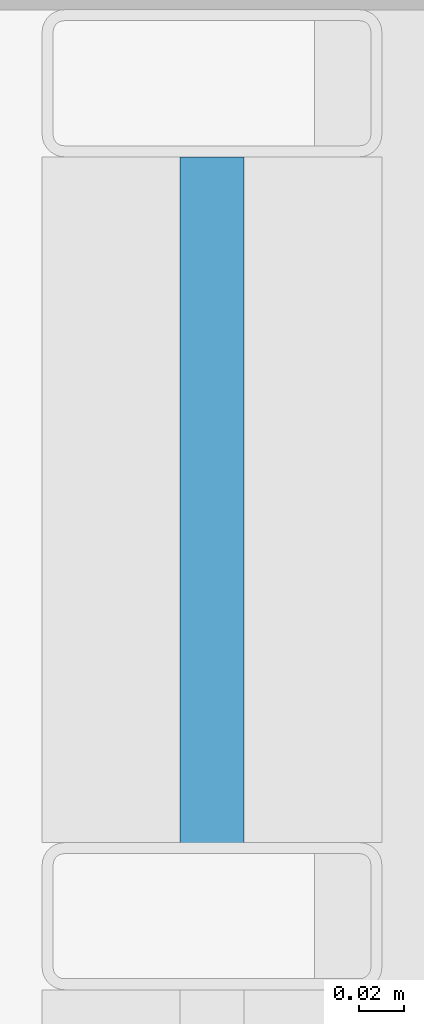
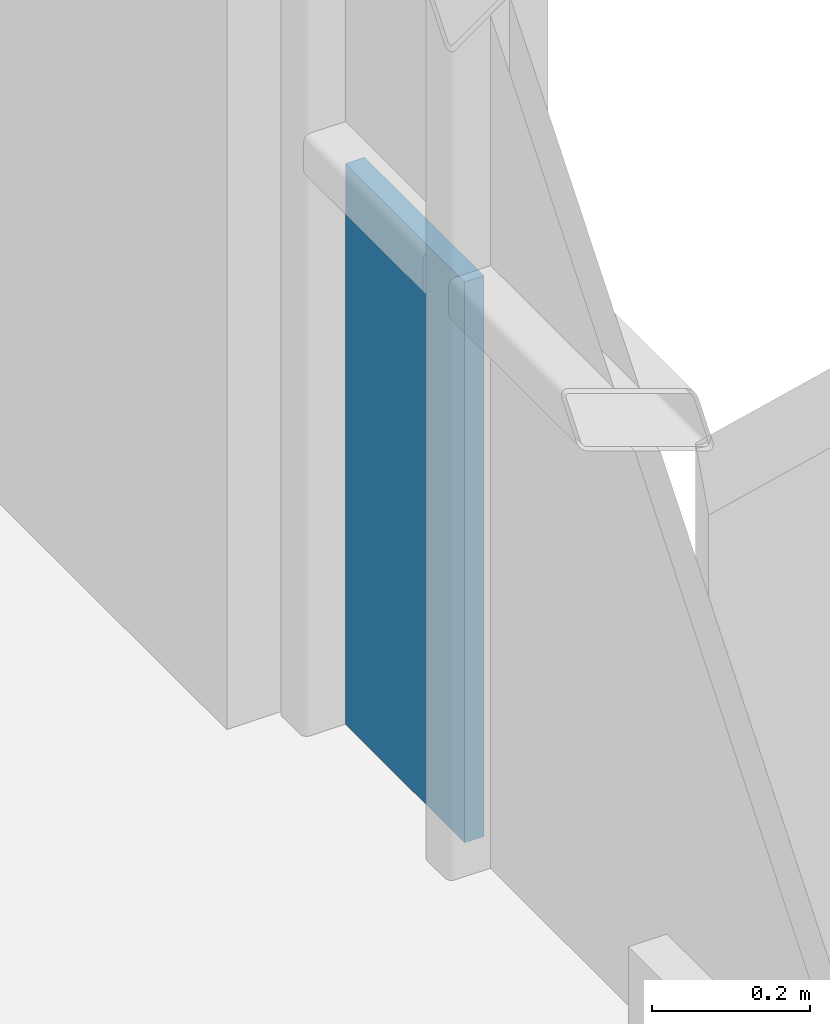
# One storey, part 26 of 38: 1 plate, 1 element without a shape of its own.
"""IFC4 building model written with IfcOpenShell, lengths in metres."""

import ifcopenshell
import ifcopenshell.guid

model = None  # the IFC model being written
_history = None  # IfcOwnerHistory: only IFC2X3 demands one
_inside = {}  # id of a spatial element -> (the spatial element, [elements in it])
_under = {}  # id of a project, library or spatial element -> (it, [spatial elements below it])
_declared = {}  # id of a project -> (the project, [libraries it declares])
_typed = {}  # id of a type object -> (the type object, [elements of that type])
_made_of = {}  # id of a material, layer set ... -> (it, [elements and type objects made of it])


def new_model(schema):
    """Start an empty IFC model of exactly this schema.

    Asked for "IFC4X3", IfcOpenShell would pick the latest addendum, in which some entities
    have other attributes; the version numbers below select the first issue.
    IFC2X3 requires an IfcOwnerHistory on every rooted entity: one is made here for all.
    """
    global model, _history
    if schema == "IFC4X3":
        model = ifcopenshell.file(schema_version=(4, 3, 0, 0))
    else:
        model = ifcopenshell.file(schema=schema)
    _inside.clear()
    _under.clear()
    _declared.clear()
    _typed.clear()
    _made_of.clear()
    _history = None
    if model.schema == "IFC2X3":
        org = make("IfcOrganization", Name="unknown")
        user = make(
            "IfcPersonAndOrganization",
            ThePerson=make("IfcPerson", FamilyName="unknown"),
            TheOrganization=org,
        )
        app = make(
            "IfcApplication",
            ApplicationDeveloper=org,
            Version="unknown",
            ApplicationFullName="unknown",
            ApplicationIdentifier="unknown",
        )
        _history = make(
            "IfcOwnerHistory",
            OwningUser=user,
            OwningApplication=app,
            ChangeAction="ADDED",
            CreationDate=0,
        )
    return model


def make(cls, **values):
    """One entity of the class cls with the attributes given. An attribute that is None is left unset."""
    return model.create_entity(
        cls, **{name: value for name, value in values.items() if value is not None}
    )


def rooted(cls, **values):
    """An entity with a GlobalId (a new one), such as an element, a storey or a relation."""
    return make(cls, GlobalId=ifcopenshell.guid.new(), OwnerHistory=_history, **values)


def si_unit(unit_type, name, prefix=None):
    """IfcSIUnit, for example si_unit("LENGTHUNIT", "METRE", prefix="MILLI")."""
    return make("IfcSIUnit", UnitType=unit_type, Prefix=prefix, Name=name)


def assignment(units):
    """IfcUnitAssignment: the units of a project."""
    return None if units is None else make("IfcUnitAssignment", Units=units)


def point(xyz):
    """IfcCartesianPoint."""
    return None if xyz is None else make("IfcCartesianPoint", Coordinates=xyz)


def direction(xyz):
    """IfcDirection."""
    return None if xyz is None else make("IfcDirection", DirectionRatios=xyz)


def frame(location, z_axis=None, x_axis=None):
    """IfcAxis2Placement3D, a coordinate frame: its origin and axes. An axis left out is left unset."""
    return make(
        "IfcAxis2Placement3D",
        Location=point(location),
        Axis=direction(z_axis),
        RefDirection=direction(x_axis),
    )


def frame_2d(location, x_axis=None):
    """IfcAxis2Placement2D, a coordinate frame in the plane: its origin and x axis."""
    return make(
        "IfcAxis2Placement2D", Location=point(location), RefDirection=direction(x_axis)
    )


def origin():
    """The frame at (0, 0, 0) with its axes left unset."""
    return frame((0.0, 0.0, 0.0))


def origin_2d():
    """The frame at (0, 0) in the plane with its x axis left unset."""
    return frame_2d((0.0, 0.0))


def place(relative_to, where):
    """IfcLocalPlacement: puts the frame where relative to a parent placement (None: the world)."""
    return make(
        "IfcLocalPlacement", PlacementRelTo=relative_to, RelativePlacement=where
    )


def context(
    kind, dimensions, precision=None, world=None, true_north=None, identifier=None
):
    """IfcGeometricRepresentationContext, for example the 3D "Model" context."""
    return make(
        "IfcGeometricRepresentationContext",
        ContextIdentifier=identifier,
        ContextType=kind,
        CoordinateSpaceDimension=dimensions,
        Precision=precision,
        WorldCoordinateSystem=world,
        TrueNorth=true_north,
    )


def subcontext(parent, identifier, kind, view, scale=None):
    """IfcGeometricRepresentationSubContext, for example "Body" below "Model"."""
    return make(
        "IfcGeometricRepresentationSubContext",
        ContextIdentifier=identifier,
        ContextType=kind,
        ParentContext=parent,
        TargetScale=scale,
        TargetView=view,
    )


def project(units=None, contexts=None):
    """IfcProject with its units and contexts."""
    return rooted(
        "IfcProject",
        Name="project",
        RepresentationContexts=contexts,
        UnitsInContext=assignment(units),
    )


def spatial(cls, under=None, at=None, **own):
    """A site, building, storey or space (cls), placed at a placement, below another one or the project."""
    s = rooted(cls, ObjectPlacement=at, **own)
    if under is not None:
        _under.setdefault(under.id(), (under, []))[1].append(s)
    return s


def profile(cls, at=None, kind="AREA", **sizes):
    """A parametric profile (cls). Its sizes go by their IFC names, for example OverallWidth=200.0."""
    return make(cls, ProfileType=kind, Position=at, **sizes)


def rectangle(**sizes):
    """IfcRectangleProfileDef."""
    return profile("IfcRectangleProfileDef", **sizes)


def extrude(swept, where, along, depth):
    """IfcExtrudedAreaSolid: the profile swept, set in the frame where, extruded along a direction by depth."""
    return make(
        "IfcExtrudedAreaSolid",
        SweptArea=swept,
        Position=where,
        ExtrudedDirection=direction(along),
        Depth=depth,
    )


def shape(context_of_items, identifier, shape_type, items):
    """IfcShapeRepresentation: the items that make up one representation, for example the "Body"."""
    return make(
        "IfcShapeRepresentation",
        ContextOfItems=context_of_items,
        RepresentationIdentifier=identifier,
        RepresentationType=shape_type,
        Items=items,
    )


def material(Name=None, Category=None):
    """IfcMaterial."""
    return make("IfcMaterial", Name=Name, Category=Category)


def layer(
    of_material, thickness, ventilated=None, Name=None, Category=None, Priority=None
):
    """IfcMaterialLayer: one layer of a wall or slab, of a material (None: an air gap)."""
    return make(
        "IfcMaterialLayer",
        Material=of_material,
        LayerThickness=thickness,
        IsVentilated=ventilated,
        Name=Name,
        Category=Category,
        Priority=Priority,
    )


def layer_set(layers, Name=None):
    """IfcMaterialLayerSet."""
    return make("IfcMaterialLayerSet", MaterialLayers=layers, LayerSetName=Name)


def made_of(thing, what):
    """Note that an element or type object is made of a material, layer set ...; save() writes the relation."""
    if what is not None:
        _made_of.setdefault(what.id(), (what, []))[1].append(thing)
    return thing


def type_object(cls, material=None, **own):
    """A type object (cls), such as IfcWallType, which elements share."""
    return made_of(rooted(cls, **own), material)


def element(
    cls,
    number,
    at=None,
    inside=None,
    cuts=None,
    type_object=None,
    material=None,
    context=None,
    identifier="Body",
    shape_type=None,
    held_by="IfcProductDefinitionShape",
    body=None,
    shapes=None,
    **own,
):
    """One element of the class cls, such as IfcWall. Its Tag is "e" and its number.

    at: its placement. inside: the storey or other place that contains it. cuts: it is an
    opening in that element (IfcRelVoidsElement). A single representation is given by context,
    identifier, shape_type and body (its items); several are given by shapes. held_by: the class
    of the entity that holds the representations. save() writes the other relations.
    """
    e = rooted(cls, Tag="e%d" % number, ObjectPlacement=at, **own)
    if body is not None:
        shapes = [shape(context, identifier, shape_type, body)]
    if shapes is not None:
        e.Representation = make(held_by, Representations=shapes)
    if inside is not None:
        _inside.setdefault(inside.id(), (inside, []))[1].append(e)
    if cuts is not None:
        rooted(
            "IfcRelVoidsElement", RelatingBuildingElement=cuts, RelatedOpeningElement=e
        )
    if type_object is not None:
        _typed.setdefault(type_object.id(), (type_object, []))[1].append(e)
    return made_of(e, material)


def aggregate(whole, parts):
    """IfcRelAggregates: a whole, such as a stair, and the parts it consists of."""
    return rooted("IfcRelAggregates", RelatingObject=whole, RelatedObjects=parts)


def save(model, path):
    """Write the relations noted so far, then the file.

    IfcRelAggregates (storeys below a building ...), IfcRelContainedInSpatialStructure (elements
    in a storey), IfcRelDefinesByType, IfcRelAssociatesMaterial and IfcRelDeclares: one each for
    every whole, place, type object, material and project.
    """
    for whole, parts in _under.values():
        aggregate(whole, parts)
    for where, things in _inside.values():
        rooted(
            "IfcRelContainedInSpatialStructure",
            RelatedElements=things,
            RelatingStructure=where,
        )
    for kind, things in _typed.values():
        rooted("IfcRelDefinesByType", RelatedObjects=things, RelatingType=kind)
    for what, things in _made_of.values():
        rooted("IfcRelAssociatesMaterial", RelatedObjects=things, RelatingMaterial=what)
    for by, libraries in _declared.values():
        rooted("IfcRelDeclares", RelatingContext=by, RelatedDefinitions=libraries)
    model.write(path)


model = new_model("IFC4")

# Units and contexts
model_context = context("Model", 3, precision=1e-05, world=origin(), true_north=direction((0.0, 1.0)))
body_context = subcontext(model_context, "Body", "Model", "MODEL_VIEW")
ifc_project = project(units=[si_unit("LENGTHUNIT", "METRE"), si_unit("AREAUNIT", "SQUARE_METRE"), si_unit("VOLUMEUNIT", "CUBIC_METRE"), si_unit("PLANEANGLEUNIT", "RADIAN"), si_unit("MASSUNIT", "GRAM", prefix="KILO")], contexts=[model_context])

# Site, building, storey
site_placement = place(None, origin())
site = spatial("IfcSite", under=ifc_project, at=site_placement, CompositionType="ELEMENT")
building_placement = place(site_placement, origin())
building = spatial("IfcBuilding", under=site, at=building_placement, Name="Brevholm Reach", CompositionType="ELEMENT")
storey_placement = place(building_placement, frame((0.0, 0.0, 128.300048828125)))
storey = spatial("IfcBuildingStorey", under=building, at=storey_placement, Name="L38", CompositionType="ELEMENT", Elevation=128.300048828125)

# Curtain wall, plate
ifc_material_1 = material(Name="Dark Anodised Aluminium 6063-T6 and Solar-Control Glass", Category="aluminium")
ifc_layer_1 = layer(ifc_material_1, 0.14990234375)
ifc_layer_set_1 = layer_set([ifc_layer_1], Name="Dark Anodised Aluminium 6063-T6 and Solar-Control Glass")
curtain_wall_type = type_object("IfcCurtainWallType", Name="CW-01", PredefinedType="NOTDEFINED", material=ifc_layer_set_1)
curtain_wall_placement = place(storey_placement, origin())
curtain_wall = element("IfcCurtainWall", 1, at=curtain_wall_placement, inside=storey, type_object=curtain_wall_type, Name="L38 Curtain Wall CW-01", PredefinedType="NOTDEFINED")
ifc_material_2 = material(Name="Dark Solar-Control Double-Glazed IGU Glass", Category="glass")
ifc_layer_2 = layer(ifc_material_2, 0.028076171875)
ifc_layer_set_2 = layer_set([ifc_layer_2], Name="Dark Solar-Control Double-Glazed IGU Glass")
plate_type = type_object("IfcPlateType", Name="CWP-GLZ-28", PredefinedType="CURTAIN_PANEL", material=ifc_layer_set_2)
plate_placement = place(storey_placement, frame((59.85009765625, 22.733642578125, 0.0), z_axis=(0.0, 0.0, 1.0), x_axis=(0.0, 1.0, 0.0)))
plate = element("IfcPlate", 2, at=plate_placement, type_object=plate_type, Name="CP-01 Glazing Panel 5.1", PredefinedType="CURTAIN_PANEL", context=body_context, shape_type="SweptSolid", body=[
    extrude(rectangle(XDim=0.302490234375, YDim=0.028076171875, at=origin_2d()), origin(), (0.0, 0.0, 1.0), 0.867431640625),
])
aggregate(curtain_wall, [plate])

save(model, "model.ifc")
